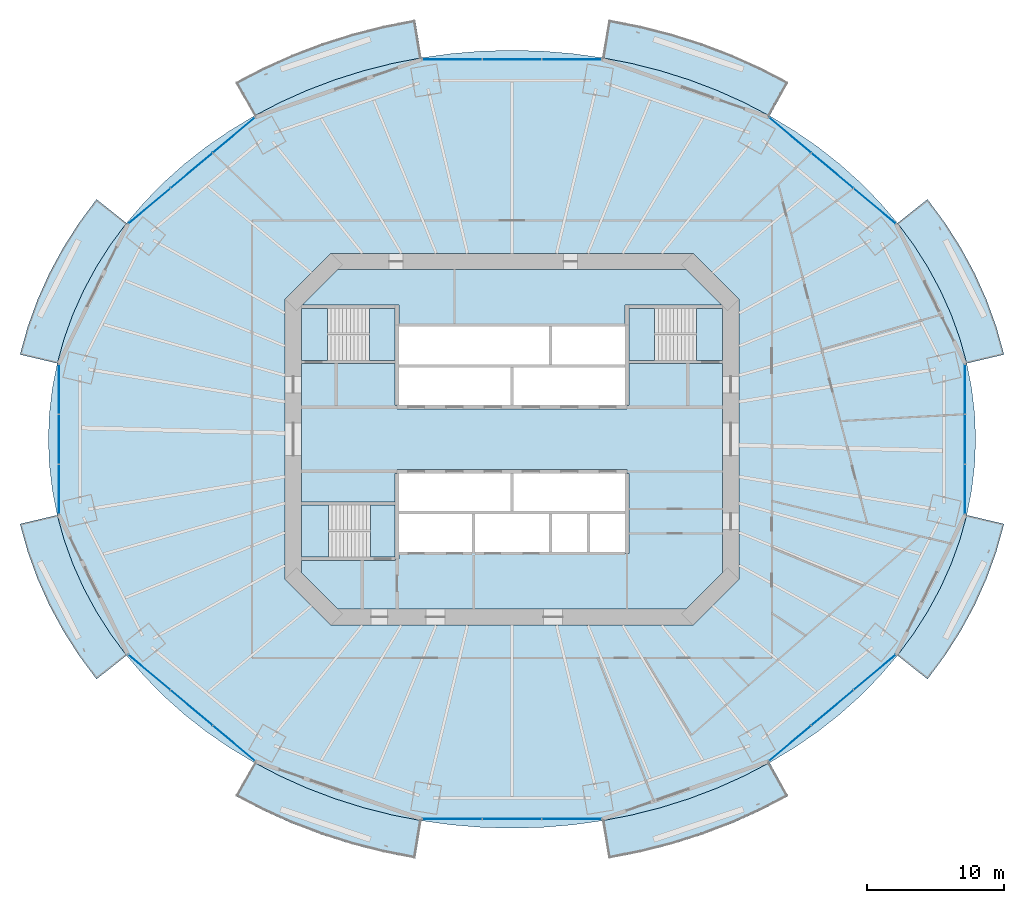
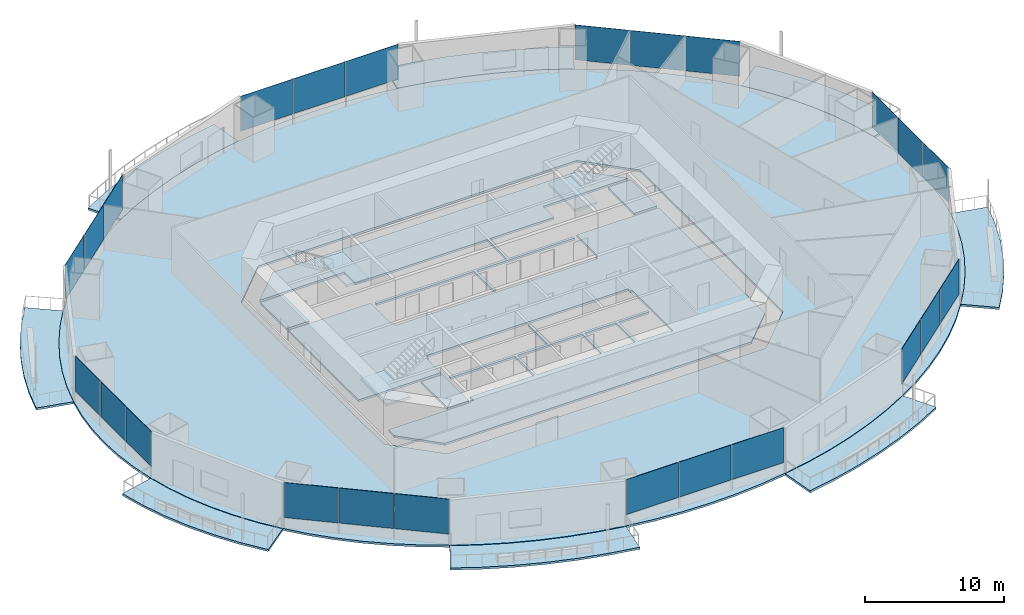
# One storey, part 12 of 21: 24 plates, 17 slabs, 11 elements without a shape of their own.
"""IFC4 building model written with IfcOpenShell, lengths in metres."""

from ifc_helpers import new_model, si_unit, direction, frame, origin, origin_2d, place, context, subcontext, project, spatial, polyline, rectangle, outline, extrude, material, layer, layer_set, type_object, element, aggregate, save


model = new_model("IFC4")

# Units and contexts
model_context = context("Model", 3, precision=1e-05, world=origin(), true_north=direction((0.0, 1.0)))
body_context = subcontext(model_context, "Body", "Model", "MODEL_VIEW")
ifc_project = project(units=[si_unit("LENGTHUNIT", "METRE"), si_unit("AREAUNIT", "SQUARE_METRE"), si_unit("VOLUMEUNIT", "CUBIC_METRE"), si_unit("PLANEANGLEUNIT", "RADIAN"), si_unit("MASSUNIT", "GRAM", prefix="KILO")], contexts=[model_context])

# Site, building, storey
site_placement = place(None, origin())
site = spatial("IfcSite", under=ifc_project, at=site_placement, CompositionType="ELEMENT")
building_placement = place(site_placement, origin())
building = spatial("IfcBuilding", under=site, at=building_placement, Name="Marenthal Gate Tower", CompositionType="ELEMENT")
storey_placement = place(building_placement, frame((0.0, 0.0, 128.449951171875)))
storey = spatial("IfcBuildingStorey", under=building, at=storey_placement, Name="L27", CompositionType="ELEMENT", Elevation=128.449951171875)

# Slabs
ifc_material_1 = material(Name="Concrete 40 MPa", Category="concrete")
ifc_layer_1 = layer(ifc_material_1, 0.179931640625)
ifc_layer_set_1 = layer_set([ifc_layer_1], Name="Balcony deck 180")
slab_type_1 = type_object("IfcSlabType", Name="Balcony deck 180", PredefinedType="USERDEFINED", material=ifc_layer_set_1)
slab_1_placement = place(storey_placement, frame((0.0, 0.0, -0.219970703125)))
element("IfcSlab", 1, at=slab_1_placement, inside=storey, type_object=slab_type_1, Name="Balcony deck L27 bay 1", ObjectType="BALCONY", PredefinedType="USERDEFINED", context=body_context, shape_type="SweptSolid", body=[
    extrude(outline(polyline([(33.25244140625, 5.548828125), (32.748779296875, 7.361328125), (32.104736328125, 9.142333984375), (31.3232421875, 10.88427734375), (30.40771484375, 12.57958984375), (29.36181640625, 14.220947265625), (28.190185546875, 15.801513671875), (30.38037109375, 17.5458984375), (31.668212890625, 15.808349609375), (32.821533203125, 13.99853515625), (33.833740234375, 12.1240234375), (34.7001953125, 10.192626953125), (35.416015625, 8.213134765625), (35.97705078125, 6.19482421875), (33.25244140625, 5.548828125)])), origin(), (0.0, 0.0, 1.0), 0.179931640625),
])
slab_2_placement = place(storey_placement, frame((0.0, 0.0, -0.219970703125)))
element("IfcSlab", 2, at=slab_2_placement, inside=storey, type_object=slab_type_1, Name="Balcony deck L27 bay 3", ObjectType="BALCONY", PredefinedType="USERDEFINED", context=body_context, shape_type="SweptSolid", body=[
    extrude(outline(polyline([(18.836181640625, 23.648681640625), (16.951904296875, 24.631591796875), (14.995361328125, 25.5087890625), (12.974609375, 26.277099609375), (10.898193359375, 26.9326171875), (8.77490234375, 27.472900390625), (6.6142578125, 27.8955078125), (7.0751953125, 30.6572265625), (9.38916015625, 30.204833984375), (11.6650390625, 29.62548828125), (13.8935546875, 28.921875), (16.065673828125, 28.09619140625), (18.172607421875, 27.1513671875), (20.205078125, 26.091064453125), (18.836181640625, 23.648681640625)])), origin(), (0.0, 0.0, 1.0), 0.179931640625),
])
slab_3_placement = place(storey_placement, frame((0.0, 0.0, -0.219970703125)))
element("IfcSlab", 3, at=slab_3_placement, inside=storey, type_object=slab_type_1, Name="Balcony deck L27 bay 5", ObjectType="BALCONY", PredefinedType="USERDEFINED", context=body_context, shape_type="SweptSolid", body=[
    extrude(outline(polyline([(-6.6142578125, 27.8955078125), (-8.77490234375, 27.472900390625), (-10.898193359375, 26.9326171875), (-12.974609375, 26.277099609375), (-14.995361328125, 25.5087890625), (-16.951904296875, 24.631591796875), (-18.836181640625, 23.648681640625), (-20.205078125, 26.091064453125), (-18.172607421875, 27.1513671875), (-16.065673828125, 28.09619140625), (-13.8935546875, 28.921875), (-11.6650390625, 29.62548828125), (-9.38916015625, 30.204833984375), (-7.0751953125, 30.6572265625), (-6.6142578125, 27.8955078125)])), origin(), (0.0, 0.0, 1.0), 0.179931640625),
])
slab_4_placement = place(storey_placement, frame((0.0, 0.0, -0.219970703125)))
element("IfcSlab", 4, at=slab_4_placement, inside=storey, type_object=slab_type_1, Name="Balcony deck L27 bay 7", ObjectType="BALCONY", PredefinedType="USERDEFINED", context=body_context, shape_type="SweptSolid", body=[
    extrude(outline(polyline([(-28.190185546875, 15.801513671875), (-29.36181640625, 14.220947265625), (-30.40771484375, 12.57958984375), (-31.3232421875, 10.88427734375), (-32.104736328125, 9.142333984375), (-32.748779296875, 7.361328125), (-33.25244140625, 5.548828125), (-35.97705078125, 6.19482421875), (-35.416015625, 8.213134765625), (-34.7001953125, 10.192626953125), (-33.833740234375, 12.1240234375), (-32.821533203125, 13.99853515625), (-31.668212890625, 15.808349609375), (-30.38037109375, 17.5458984375), (-28.190185546875, 15.801513671875)])), origin(), (0.0, 0.0, 1.0), 0.179931640625),
])
slab_5_placement = place(storey_placement, frame((0.0, 0.0, -0.219970703125)))
element("IfcSlab", 5, at=slab_5_placement, inside=storey, type_object=slab_type_1, Name="Balcony deck L27 bay 9", ObjectType="BALCONY", PredefinedType="USERDEFINED", context=body_context, shape_type="SweptSolid", body=[
    extrude(outline(polyline([(-33.25244140625, -5.548828125), (-32.748779296875, -7.361328125), (-32.104736328125, -9.142333984375), (-31.3232421875, -10.88427734375), (-30.40771484375, -12.57958984375), (-29.36181640625, -14.220947265625), (-28.190185546875, -15.801513671875), (-30.38037109375, -17.5458984375), (-31.668212890625, -15.808349609375), (-32.821533203125, -13.99853515625), (-33.833740234375, -12.1240234375), (-34.7001953125, -10.192626953125), (-35.416015625, -8.213134765625), (-35.97705078125, -6.19482421875), (-33.25244140625, -5.548828125)])), origin(), (0.0, 0.0, 1.0), 0.179931640625),
])
slab_6_placement = place(storey_placement, frame((0.0, 0.0, -0.219970703125)))
element("IfcSlab", 6, at=slab_6_placement, inside=storey, type_object=slab_type_1, Name="Balcony deck L27 bay 11", ObjectType="BALCONY", PredefinedType="USERDEFINED", context=body_context, shape_type="SweptSolid", body=[
    extrude(outline(polyline([(-18.836181640625, -23.648681640625), (-16.951904296875, -24.631591796875), (-14.995361328125, -25.5087890625), (-12.974609375, -26.277099609375), (-10.898193359375, -26.9326171875), (-8.77490234375, -27.472900390625), (-6.6142578125, -27.8955078125), (-7.0751953125, -30.6572265625), (-9.38916015625, -30.204833984375), (-11.6650390625, -29.62548828125), (-13.8935546875, -28.921875), (-16.065673828125, -28.09619140625), (-18.172607421875, -27.1513671875), (-20.205078125, -26.091064453125), (-18.836181640625, -23.648681640625)])), origin(), (0.0, 0.0, 1.0), 0.179931640625),
])
slab_7_placement = place(storey_placement, frame((0.0, 0.0, -0.219970703125)))
element("IfcSlab", 7, at=slab_7_placement, inside=storey, type_object=slab_type_1, Name="Balcony deck L27 bay 13", ObjectType="BALCONY", PredefinedType="USERDEFINED", context=body_context, shape_type="SweptSolid", body=[
    extrude(outline(polyline([(6.6142578125, -27.8955078125), (8.77490234375, -27.472900390625), (10.898193359375, -26.9326171875), (12.974609375, -26.277099609375), (14.995361328125, -25.5087890625), (16.951904296875, -24.631591796875), (18.836181640625, -23.648681640625), (20.205078125, -26.091064453125), (18.172607421875, -27.1513671875), (16.065673828125, -28.09619140625), (13.8935546875, -28.921875), (11.6650390625, -29.62548828125), (9.38916015625, -30.204833984375), (7.0751953125, -30.6572265625), (6.6142578125, -27.8955078125)])), origin(), (0.0, 0.0, 1.0), 0.179931640625),
])
slab_8_placement = place(storey_placement, frame((0.0, 0.0, -0.219970703125)))
element("IfcSlab", 8, at=slab_8_placement, inside=storey, type_object=slab_type_1, Name="Balcony deck L27 bay 15", ObjectType="BALCONY", PredefinedType="USERDEFINED", context=body_context, shape_type="SweptSolid", body=[
    extrude(outline(polyline([(28.190185546875, -15.801513671875), (29.36181640625, -14.220947265625), (30.40771484375, -12.57958984375), (31.3232421875, -10.88427734375), (32.104736328125, -9.142333984375), (32.748779296875, -7.361328125), (33.25244140625, -5.548828125), (35.97705078125, -6.19482421875), (35.416015625, -8.213134765625), (34.7001953125, -10.192626953125), (33.833740234375, -12.1240234375), (32.821533203125, -13.99853515625), (31.668212890625, -15.808349609375), (30.38037109375, -17.5458984375), (28.190185546875, -15.801513671875)])), origin(), (0.0, 0.0, 1.0), 0.179931640625),
])
ifc_material_2 = material(Name="Concrete 50 MPa", Category="concrete")
ifc_layer_2 = layer(ifc_material_2, 0.179931640625)
ifc_layer_set_2 = layer_set([ifc_layer_2], Name="Core floor slab 180")
slab_type_2 = type_object("IfcSlabType", Name="Core floor slab 180", PredefinedType="FLOOR", material=ifc_layer_set_2)
slab_9_placement = place(storey_placement, frame((0.0, 0.0, -0.179931640625)))
element("IfcSlab", 9, at=slab_9_placement, inside=storey, type_object=slab_type_2, Name="Core floor L27", PredefinedType="FLOOR", context=body_context, shape_type="SweptSolid", body=[
    extrude(outline(polyline([(15.39990234375, -9.75146484375), (12.75146484375, -12.39990234375), (-12.75146484375, -12.39990234375), (-15.39990234375, -9.75146484375), (-15.39990234375, -8.875), (-8.550048828125, -8.875), (-8.550048828125, -8.75), (-8.25, -8.75), (-8.25, -8.239990234375), (-5.60009765625, -8.239990234375), (-2.909912109375, -8.239990234375), (-2.909912109375, -5.4599609375), (-5.60009765625, -5.4599609375), (-8.25, -5.4599609375), (-8.25, -5.239990234375), (-5.60009765625, -5.239990234375), (-2.800048828125, -5.239990234375), (-0.110107421875, -5.239990234375), (-0.110107421875, -2.5), (0.110107421875, -2.5), (0.110107421875, -5.239990234375), (2.800048828125, -5.239990234375), (5.60009765625, -5.239990234375), (8.25, -5.239990234375), (8.25, -5.4599609375), (5.7099609375, -5.4599609375), (5.7099609375, -8.239990234375), (8.25, -8.239990234375), (8.25, -8.35009765625), (8.550048828125, -8.35009765625), (8.550048828125, -2.5), (8.39990234375, -2.5), (8.39990234375, -2.199951171875), (-8.39990234375, -2.199951171875), (-8.39990234375, -2.5), (-8.550048828125, -2.5), (-8.550048828125, -4.574951171875), (-15.39990234375, -4.574951171875), (-15.39990234375, 5.52490234375), (-8.550048828125, 5.52490234375), (-8.550048828125, 2.5), (-8.39990234375, 2.5), (-8.39990234375, 2.199951171875), (8.39990234375, 2.199951171875), (8.39990234375, 2.5), (8.550048828125, 2.5), (8.550048828125, 5.52490234375), (15.39990234375, 5.52490234375), (15.39990234375, -9.75146484375)]), holes=[polyline([(2.68994140625, -5.4599609375), (0.0, -5.4599609375), (-2.68994140625, -5.4599609375), (-2.68994140625, -8.239990234375), (0.0, -8.239990234375), (2.68994140625, -8.239990234375), (2.68994140625, -5.4599609375)]), polyline([(5.489990234375, -5.4599609375), (2.909912109375, -5.4599609375), (2.909912109375, -8.239990234375), (5.489990234375, -8.239990234375), (5.489990234375, -5.4599609375)])]), origin(), (0.0, 0.0, 1.0), 0.179931640625),
])
slab_10_placement = place(storey_placement, frame((0.0, 0.0, -0.179931640625)))
element("IfcSlab", 10, at=slab_10_placement, inside=storey, type_object=slab_type_2, Name="Core floor L27", PredefinedType="FLOOR", context=body_context, shape_type="SweptSolid", body=[
    extrude(outline(polyline([(15.39990234375, 5.77490234375), (13.5, 5.77490234375), (13.5, 9.574951171875), (15.39990234375, 9.574951171875), (15.39990234375, 5.77490234375)])), origin(), (0.0, 0.0, 1.0), 0.179931640625),
])
slab_11_placement = place(storey_placement, frame((0.0, 0.0, -0.179931640625)))
element("IfcSlab", 11, at=slab_11_placement, inside=storey, type_object=slab_type_2, Name="Core floor L27", PredefinedType="FLOOR", context=body_context, shape_type="SweptSolid", body=[
    extrude(outline(polyline([(12.75146484375, 12.39990234375), (15.326416015625, 9.824951171875), (8.550048828125, 9.824951171875), (8.25, 9.824951171875), (8.25, 8.35009765625), (8.25, 8.239990234375), (5.60009765625, 8.239990234375), (2.909912109375, 8.239990234375), (2.909912109375, 5.4599609375), (5.60009765625, 5.4599609375), (8.25, 5.4599609375), (8.25, 5.239990234375), (5.60009765625, 5.239990234375), (2.800048828125, 5.239990234375), (0.110107421875, 5.239990234375), (0.110107421875, 2.5), (-0.110107421875, 2.5), (-0.110107421875, 5.239990234375), (-2.800048828125, 5.239990234375), (-5.60009765625, 5.239990234375), (-8.25, 5.239990234375), (-8.25, 5.4599609375), (-5.60009765625, 5.4599609375), (-2.800048828125, 5.4599609375), (0.0, 5.4599609375), (2.68994140625, 5.4599609375), (2.68994140625, 8.239990234375), (0.0, 8.239990234375), (-2.800048828125, 8.239990234375), (-5.60009765625, 8.239990234375), (-8.25, 8.239990234375), (-8.25, 8.35009765625), (-8.25, 9.824951171875), (-8.550048828125, 9.824951171875), (-15.326416015625, 9.824951171875), (-12.75146484375, 12.39990234375), (12.75146484375, 12.39990234375)])), origin(), (0.0, 0.0, 1.0), 0.179931640625),
])
slab_12_placement = place(storey_placement, frame((0.0, 0.0, -0.179931640625)))
element("IfcSlab", 12, at=slab_12_placement, inside=storey, type_object=slab_type_2, Name="Core floor L27", PredefinedType="FLOOR", context=body_context, shape_type="SweptSolid", body=[
    extrude(outline(polyline([(-15.39990234375, 9.574951171875), (-13.5, 9.574951171875), (-13.5, 5.77490234375), (-15.39990234375, 5.77490234375), (-15.39990234375, 9.574951171875)])), origin(), (0.0, 0.0, 1.0), 0.179931640625),
])
slab_13_placement = place(storey_placement, frame((0.0, 0.0, -0.179931640625)))
element("IfcSlab", 13, at=slab_13_placement, inside=storey, type_object=slab_type_2, Name="Core floor L27", PredefinedType="FLOOR", context=body_context, shape_type="SweptSolid", body=[
    extrude(outline(polyline([(-8.550048828125, -8.625), (-10.35009765625, -8.625), (-10.35009765625, -4.824951171875), (-8.550048828125, -4.824951171875), (-8.550048828125, -8.625)])), origin(), (0.0, 0.0, 1.0), 0.179931640625),
])
ifc_material_3 = material(Name="Concrete 35 MPa", Category="concrete")
ifc_layer_3 = layer(ifc_material_3, 0.179931640625)
ifc_layer_set_3 = layer_set([ifc_layer_3], Name="Floor slab 180")
slab_type_3 = type_object("IfcSlabType", Name="Floor slab 180", PredefinedType="FLOOR", material=ifc_layer_set_3)
slab_14_placement = place(storey_placement, frame((0.0, 0.0, -0.179931640625)))
element("IfcSlab", 14, at=slab_14_placement, inside=storey, type_object=slab_type_3, Name="SL-L27-01", PredefinedType="FLOOR", context=body_context, shape_type="SweptSolid", body=[
    extrude(outline(polyline([(33.904052734375, 0.0), (33.831298828125, 1.860107421875), (33.614013671875, 3.71240234375), (33.25244140625, 5.548828125), (32.748779296875, 7.361328125), (32.104736328125, 9.142333984375), (31.3232421875, 10.88427734375), (30.40771484375, 12.57958984375), (29.36181640625, 14.220947265625), (28.190185546875, 15.801513671875), (26.89794921875, 17.314453125), (25.490478515625, 18.753173828125), (23.9736328125, 20.111572265625), (22.3544921875, 21.3837890625), (20.639404296875, 22.564697265625), (18.836181640625, 23.648681640625), (16.951904296875, 24.631591796875), (14.995361328125, 25.5087890625), (12.974609375, 26.277099609375), (10.898193359375, 26.9326171875), (8.77490234375, 27.472900390625), (6.6142578125, 27.8955078125), (4.42529296875, 28.19873046875), (2.21728515625, 28.381103515625), (0.0, 28.44189453125), (-2.21728515625, 28.381103515625), (-4.42529296875, 28.19873046875), (-6.6142578125, 27.8955078125), (-8.77490234375, 27.472900390625), (-10.898193359375, 26.9326171875), (-12.974609375, 26.277099609375), (-14.995361328125, 25.5087890625), (-16.951904296875, 24.631591796875), (-18.836181640625, 23.648681640625), (-20.639404296875, 22.564697265625), (-22.3544921875, 21.3837890625), (-23.9736328125, 20.111572265625), (-25.490478515625, 18.753173828125), (-26.89794921875, 17.314453125), (-28.190185546875, 15.801513671875), (-29.36181640625, 14.220947265625), (-30.40771484375, 12.57958984375), (-31.3232421875, 10.88427734375), (-32.104736328125, 9.142333984375), (-32.748779296875, 7.361328125), (-33.25244140625, 5.548828125), (-33.614013671875, 3.71240234375), (-33.831298828125, 1.860107421875), (-33.904052734375, 0.0), (-33.831298828125, -1.860107421875), (-33.614013671875, -3.71240234375), (-33.25244140625, -5.548828125), (-32.748779296875, -7.361328125), (-32.104736328125, -9.142333984375), (-31.3232421875, -10.88427734375), (-30.40771484375, -12.57958984375), (-29.36181640625, -14.220947265625), (-28.190185546875, -15.801513671875), (-26.89794921875, -17.314453125), (-25.490478515625, -18.753173828125), (-23.9736328125, -20.111572265625), (-22.3544921875, -21.3837890625), (-20.639404296875, -22.564697265625), (-18.836181640625, -23.648681640625), (-16.951904296875, -24.631591796875), (-14.995361328125, -25.5087890625), (-12.974609375, -26.277099609375), (-10.898193359375, -26.9326171875), (-8.77490234375, -27.472900390625), (-6.6142578125, -27.8955078125), (-4.42529296875, -28.19873046875), (-2.21728515625, -28.381103515625), (0.0, -28.44189453125), (2.21728515625, -28.381103515625), (4.42529296875, -28.19873046875), (6.6142578125, -27.8955078125), (8.77490234375, -27.472900390625), (10.898193359375, -26.9326171875), (12.974609375, -26.277099609375), (14.995361328125, -25.5087890625), (16.951904296875, -24.631591796875), (18.836181640625, -23.648681640625), (20.639404296875, -22.564697265625), (22.3544921875, -21.3837890625), (23.9736328125, -20.111572265625), (25.490478515625, -18.753173828125), (26.89794921875, -17.314453125), (28.190185546875, -15.801513671875), (29.36181640625, -14.220947265625), (30.40771484375, -12.57958984375), (31.3232421875, -10.88427734375), (32.104736328125, -9.142333984375), (32.748779296875, -7.361328125), (33.25244140625, -5.548828125), (33.614013671875, -3.71240234375), (33.831298828125, -1.860107421875), (33.904052734375, 0.0)]), holes=[polyline([(13.24853515625, -13.60009765625), (16.60009765625, -10.24853515625), (16.60009765625, 10.24853515625), (13.24853515625, 13.60009765625), (-13.24853515625, 13.60009765625), (-16.60009765625, 10.24853515625), (-16.60009765625, -10.24853515625), (-13.24853515625, -13.60009765625), (13.24853515625, -13.60009765625)])]), origin(), (0.0, 0.0, 1.0), 0.179931640625),
])

# Curtain wall, plates
ifc_material_4 = material(Name="Aluminium and glass", Category="aluminium")
curtain_wall_type = type_object("IfcCurtainWallType", Name="Curtain wall typical low", PredefinedType="NOTDEFINED", material=ifc_material_4)
curtain_wall_1_placement = place(storey_placement, origin())
curtain_wall_1 = element("IfcCurtainWall", 15, at=curtain_wall_1_placement, inside=storey, type_object=curtain_wall_type, Name="Curtain wall L27 bay 2", PredefinedType="NOTDEFINED")
ifc_material_5 = material(Name="Glass, laminated insulating unit", Category="glass")
ifc_layer_4 = layer(ifc_material_5, 0.030029296875)
ifc_layer_set_4 = layer_set([ifc_layer_4], Name="Glass panel 30 typical low")
plate_type = type_object("IfcPlateType", Name="Glass panel 30 typical low", PredefinedType="CURTAIN_PANEL", material=ifc_layer_set_4)
plate_1_placement = place(storey_placement, frame((26.521484375, 17.050048828125, 0.89990234375), z_axis=(0.0, 0.0, 1.0), x_axis=(-0.766337774817, 0.642437868504, 0.0)))
plate_1 = element("IfcPlate", 16, at=plate_1_placement, type_object=plate_type, Name="Glass panel L27 bay 2.1", PredefinedType="CURTAIN_PANEL", context=body_context, shape_type="SweptSolid", body=[
    extrude(rectangle(XDim=3.974365234375, YDim=0.030029296875, at=origin_2d()), origin(), (0.0, 0.0, 1.0), 3.070068359375),
])
plate_2_placement = place(storey_placement, frame((23.429931640625, 19.641845703125, 0.89990234375), z_axis=(0.0, 0.0, 1.0), x_axis=(-0.766337774817, 0.642437868504, 0.0)))
plate_2 = element("IfcPlate", 17, at=plate_2_placement, type_object=plate_type, Name="Glass panel L27 bay 2.2", PredefinedType="CURTAIN_PANEL", context=body_context, shape_type="SweptSolid", body=[
    extrude(rectangle(XDim=3.974365234375, YDim=0.030029296875, at=origin_2d()), origin(), (0.0, 0.0, 1.0), 3.070068359375),
])
plate_3_placement = place(storey_placement, frame((20.338134765625, 22.233642578125, 0.89990234375), z_axis=(0.0, 0.0, 1.0), x_axis=(-0.766337774817, 0.642437868504, 0.0)))
plate_3 = element("IfcPlate", 18, at=plate_3_placement, type_object=plate_type, Name="Glass panel L27 bay 2.3", PredefinedType="CURTAIN_PANEL", context=body_context, shape_type="SweptSolid", body=[
    extrude(rectangle(XDim=3.974365234375, YDim=0.030029296875, at=origin_2d()), origin(), (0.0, 0.0, 1.0), 3.070068359375),
])
aggregate(curtain_wall_1, [plate_1, plate_2, plate_3])

curtain_wall_2_placement = place(storey_placement, origin())
curtain_wall_2 = element("IfcCurtainWall", 19, at=curtain_wall_2_placement, inside=storey, type_object=curtain_wall_type, Name="Curtain wall L27 bay 4", PredefinedType="NOTDEFINED")
plate_4_placement = place(storey_placement, frame((4.3740234375, 27.77783203125, 0.89990234375), z_axis=(0.0, 0.0, 1.0), x_axis=(-1.0, 0.0, 0.0)))
plate_4 = element("IfcPlate", 20, at=plate_4_placement, type_object=plate_type, Name="Glass panel L27 bay 4.1", PredefinedType="CURTAIN_PANEL", context=body_context, shape_type="SweptSolid", body=[
    extrude(rectangle(XDim=4.31396484375, YDim=0.030029296875, at=origin_2d()), origin(), (0.0, 0.0, 1.0), 3.070068359375),
])
plate_5_placement = place(storey_placement, frame((0.0, 27.77783203125, 0.89990234375), z_axis=(0.0, 0.0, 1.0), x_axis=(-1.0, 0.0, 0.0)))
plate_5 = element("IfcPlate", 21, at=plate_5_placement, type_object=plate_type, Name="Glass panel L27 bay 4.2", PredefinedType="CURTAIN_PANEL", context=body_context, shape_type="SweptSolid", body=[
    extrude(rectangle(XDim=4.31396484375, YDim=0.030029296875, at=origin_2d()), origin(), (0.0, 0.0, 1.0), 3.070068359375),
])
plate_6_placement = place(storey_placement, frame((-4.3740234375, 27.77783203125, 0.89990234375), z_axis=(0.0, 0.0, 1.0), x_axis=(-1.0, 0.0, 0.0)))
plate_6 = element("IfcPlate", 22, at=plate_6_placement, type_object=plate_type, Name="Glass panel L27 bay 4.3", PredefinedType="CURTAIN_PANEL", context=body_context, shape_type="SweptSolid", body=[
    extrude(rectangle(XDim=4.31396484375, YDim=0.030029296875, at=origin_2d()), origin(), (0.0, 0.0, 1.0), 3.070068359375),
])
aggregate(curtain_wall_2, [plate_4, plate_5, plate_6])

curtain_wall_3_placement = place(storey_placement, origin())
curtain_wall_3 = element("IfcCurtainWall", 23, at=curtain_wall_3_placement, inside=storey, type_object=curtain_wall_type, Name="Curtain wall L27 bay 6", PredefinedType="NOTDEFINED")
plate_7_placement = place(storey_placement, frame((-20.338134765625, 22.233642578125, 0.89990234375), z_axis=(0.0, 0.0, 1.0), x_axis=(-0.766337774817, -0.642437868504, 0.0)))
plate_7 = element("IfcPlate", 24, at=plate_7_placement, type_object=plate_type, Name="Glass panel L27 bay 6.1", PredefinedType="CURTAIN_PANEL", context=body_context, shape_type="SweptSolid", body=[
    extrude(rectangle(XDim=3.974365234375, YDim=0.030029296875, at=origin_2d()), origin(), (0.0, 0.0, 1.0), 3.070068359375),
])
plate_8_placement = place(storey_placement, frame((-23.429931640625, 19.641845703125, 0.89990234375), z_axis=(0.0, 0.0, 1.0), x_axis=(-0.766337774817, -0.642437868504, 0.0)))
plate_8 = element("IfcPlate", 25, at=plate_8_placement, type_object=plate_type, Name="Glass panel L27 bay 6.2", PredefinedType="CURTAIN_PANEL", context=body_context, shape_type="SweptSolid", body=[
    extrude(rectangle(XDim=3.974365234375, YDim=0.030029296875, at=origin_2d()), origin(), (0.0, 0.0, 1.0), 3.070068359375),
])
plate_9_placement = place(storey_placement, frame((-26.521484375, 17.050048828125, 0.89990234375), z_axis=(0.0, 0.0, 1.0), x_axis=(-0.766337774817, -0.642437868504, 0.0)))
plate_9 = element("IfcPlate", 26, at=plate_9_placement, type_object=plate_type, Name="Glass panel L27 bay 6.3", PredefinedType="CURTAIN_PANEL", context=body_context, shape_type="SweptSolid", body=[
    extrude(rectangle(XDim=3.974365234375, YDim=0.030029296875, at=origin_2d()), origin(), (0.0, 0.0, 1.0), 3.070068359375),
])
aggregate(curtain_wall_3, [plate_7, plate_8, plate_9])

curtain_wall_4_placement = place(storey_placement, origin())
curtain_wall_4 = element("IfcCurtainWall", 27, at=curtain_wall_4_placement, inside=storey, type_object=curtain_wall_type, Name="Curtain wall L27 bay 8", PredefinedType="NOTDEFINED")
plate_10_placement = place(storey_placement, frame((-33.134765625, 3.66357421875, 0.89990234375), z_axis=(0.0, 0.0, 1.0), x_axis=(0.0, -1.0, 0.0)))
plate_10 = element("IfcPlate", 28, at=plate_10_placement, type_object=plate_type, Name="Glass panel L27 bay 8.1", PredefinedType="CURTAIN_PANEL", context=body_context, shape_type="SweptSolid", body=[
    extrude(rectangle(XDim=3.603515625, YDim=0.030029296875, at=origin_2d()), origin(), (0.0, 0.0, 1.0), 3.070068359375),
])
plate_11_placement = place(storey_placement, frame((-33.134765625, 0.0, 0.89990234375), z_axis=(0.0, 0.0, 1.0), x_axis=(0.0, -1.0, 0.0)))
plate_11 = element("IfcPlate", 29, at=plate_11_placement, type_object=plate_type, Name="Glass panel L27 bay 8.2", PredefinedType="CURTAIN_PANEL", context=body_context, shape_type="SweptSolid", body=[
    extrude(rectangle(XDim=3.603515625, YDim=0.030029296875, at=origin_2d()), origin(), (0.0, 0.0, 1.0), 3.070068359375),
])
plate_12_placement = place(storey_placement, frame((-33.134765625, -3.66357421875, 0.89990234375), z_axis=(0.0, 0.0, 1.0), x_axis=(0.0, -1.0, 0.0)))
plate_12 = element("IfcPlate", 30, at=plate_12_placement, type_object=plate_type, Name="Glass panel L27 bay 8.3", PredefinedType="CURTAIN_PANEL", context=body_context, shape_type="SweptSolid", body=[
    extrude(rectangle(XDim=3.603515625, YDim=0.030029296875, at=origin_2d()), origin(), (0.0, 0.0, 1.0), 3.070068359375),
])
aggregate(curtain_wall_4, [plate_10, plate_11, plate_12])

curtain_wall_5_placement = place(storey_placement, origin())
curtain_wall_5 = element("IfcCurtainWall", 31, at=curtain_wall_5_placement, inside=storey, type_object=curtain_wall_type, Name="Curtain wall L27 bay 10", PredefinedType="NOTDEFINED")
plate_13_placement = place(storey_placement, frame((-26.521484375, -17.050048828125, 0.89990234375), z_axis=(0.0, 0.0, 1.0), x_axis=(0.766337774817, -0.642437868504, 0.0)))
plate_13 = element("IfcPlate", 32, at=plate_13_placement, type_object=plate_type, Name="Glass panel L27 bay 10.1", PredefinedType="CURTAIN_PANEL", context=body_context, shape_type="SweptSolid", body=[
    extrude(rectangle(XDim=3.974365234375, YDim=0.030029296875, at=origin_2d()), origin(), (0.0, 0.0, 1.0), 3.070068359375),
])
plate_14_placement = place(storey_placement, frame((-23.429931640625, -19.641845703125, 0.89990234375), z_axis=(0.0, 0.0, 1.0), x_axis=(0.766337774817, -0.642437868504, 0.0)))
plate_14 = element("IfcPlate", 33, at=plate_14_placement, type_object=plate_type, Name="Glass panel L27 bay 10.2", PredefinedType="CURTAIN_PANEL", context=body_context, shape_type="SweptSolid", body=[
    extrude(rectangle(XDim=3.974365234375, YDim=0.030029296875, at=origin_2d()), origin(), (0.0, 0.0, 1.0), 3.070068359375),
])
plate_15_placement = place(storey_placement, frame((-20.338134765625, -22.233642578125, 0.89990234375), z_axis=(0.0, 0.0, 1.0), x_axis=(0.766337774817, -0.642437868504, 0.0)))
plate_15 = element("IfcPlate", 34, at=plate_15_placement, type_object=plate_type, Name="Glass panel L27 bay 10.3", PredefinedType="CURTAIN_PANEL", context=body_context, shape_type="SweptSolid", body=[
    extrude(rectangle(XDim=3.974365234375, YDim=0.030029296875, at=origin_2d()), origin(), (0.0, 0.0, 1.0), 3.070068359375),
])
aggregate(curtain_wall_5, [plate_13, plate_14, plate_15])

curtain_wall_6_placement = place(storey_placement, origin())
curtain_wall_6 = element("IfcCurtainWall", 35, at=curtain_wall_6_placement, inside=storey, type_object=curtain_wall_type, Name="Curtain wall L27 bay 12", PredefinedType="NOTDEFINED")
plate_16_placement = place(storey_placement, frame((-4.3740234375, -27.77783203125, 0.89990234375), z_axis=(0.0, 0.0, 1.0), x_axis=(1.0, 0.0, 0.0)))
plate_16 = element("IfcPlate", 36, at=plate_16_placement, type_object=plate_type, Name="Glass panel L27 bay 12.1", PredefinedType="CURTAIN_PANEL", context=body_context, shape_type="SweptSolid", body=[
    extrude(rectangle(XDim=4.31396484375, YDim=0.030029296875, at=origin_2d()), origin(), (0.0, 0.0, 1.0), 3.070068359375),
])
plate_17_placement = place(storey_placement, frame((0.0, -27.77783203125, 0.89990234375), z_axis=(0.0, 0.0, 1.0), x_axis=(1.0, 0.0, 0.0)))
plate_17 = element("IfcPlate", 37, at=plate_17_placement, type_object=plate_type, Name="Glass panel L27 bay 12.2", PredefinedType="CURTAIN_PANEL", context=body_context, shape_type="SweptSolid", body=[
    extrude(rectangle(XDim=4.31396484375, YDim=0.030029296875, at=origin_2d()), origin(), (0.0, 0.0, 1.0), 3.070068359375),
])
plate_18_placement = place(storey_placement, frame((4.3740234375, -27.77783203125, 0.89990234375), z_axis=(0.0, 0.0, 1.0), x_axis=(1.0, 0.0, 0.0)))
plate_18 = element("IfcPlate", 38, at=plate_18_placement, type_object=plate_type, Name="Glass panel L27 bay 12.3", PredefinedType="CURTAIN_PANEL", context=body_context, shape_type="SweptSolid", body=[
    extrude(rectangle(XDim=4.31396484375, YDim=0.030029296875, at=origin_2d()), origin(), (0.0, 0.0, 1.0), 3.070068359375),
])
aggregate(curtain_wall_6, [plate_16, plate_17, plate_18])

curtain_wall_7_placement = place(storey_placement, origin())
curtain_wall_7 = element("IfcCurtainWall", 39, at=curtain_wall_7_placement, inside=storey, type_object=curtain_wall_type, Name="Curtain wall L27 bay 14", PredefinedType="NOTDEFINED")
plate_19_placement = place(storey_placement, frame((20.338134765625, -22.233642578125, 0.89990234375), z_axis=(0.0, 0.0, 1.0), x_axis=(0.766337774817, 0.642437868504, 0.0)))
plate_19 = element("IfcPlate", 40, at=plate_19_placement, type_object=plate_type, Name="Glass panel L27 bay 14.1", PredefinedType="CURTAIN_PANEL", context=body_context, shape_type="SweptSolid", body=[
    extrude(rectangle(XDim=3.974365234375, YDim=0.030029296875, at=origin_2d()), origin(), (0.0, 0.0, 1.0), 3.070068359375),
])
plate_20_placement = place(storey_placement, frame((23.429931640625, -19.641845703125, 0.89990234375), z_axis=(0.0, 0.0, 1.0), x_axis=(0.766337774817, 0.642437868504, 0.0)))
plate_20 = element("IfcPlate", 41, at=plate_20_placement, type_object=plate_type, Name="Glass panel L27 bay 14.2", PredefinedType="CURTAIN_PANEL", context=body_context, shape_type="SweptSolid", body=[
    extrude(rectangle(XDim=3.974365234375, YDim=0.030029296875, at=origin_2d()), origin(), (0.0, 0.0, 1.0), 3.070068359375),
])
plate_21_placement = place(storey_placement, frame((26.521484375, -17.050048828125, 0.89990234375), z_axis=(0.0, 0.0, 1.0), x_axis=(0.766337774817, 0.642437868504, 0.0)))
plate_21 = element("IfcPlate", 42, at=plate_21_placement, type_object=plate_type, Name="Glass panel L27 bay 14.3", PredefinedType="CURTAIN_PANEL", context=body_context, shape_type="SweptSolid", body=[
    extrude(rectangle(XDim=3.974365234375, YDim=0.030029296875, at=origin_2d()), origin(), (0.0, 0.0, 1.0), 3.070068359375),
])
aggregate(curtain_wall_7, [plate_19, plate_20, plate_21])

curtain_wall_8_placement = place(storey_placement, origin())
curtain_wall_8 = element("IfcCurtainWall", 43, at=curtain_wall_8_placement, inside=storey, type_object=curtain_wall_type, Name="Curtain wall L27 bay 16", PredefinedType="NOTDEFINED")
plate_22_placement = place(storey_placement, frame((33.134765625, -3.66357421875, 0.89990234375), z_axis=(0.0, 0.0, 1.0), x_axis=(0.0, 1.0, 0.0)))
plate_22 = element("IfcPlate", 44, at=plate_22_placement, type_object=plate_type, Name="Glass panel L27 bay 16.1", PredefinedType="CURTAIN_PANEL", context=body_context, shape_type="SweptSolid", body=[
    extrude(rectangle(XDim=3.603515625, YDim=0.030029296875, at=origin_2d()), origin(), (0.0, 0.0, 1.0), 3.070068359375),
])
plate_23_placement = place(storey_placement, frame((33.134765625, 0.0, 0.89990234375), z_axis=(0.0, 0.0, 1.0), x_axis=(0.0, 1.0, 0.0)))
plate_23 = element("IfcPlate", 45, at=plate_23_placement, type_object=plate_type, Name="Glass panel L27 bay 16.2", PredefinedType="CURTAIN_PANEL", context=body_context, shape_type="SweptSolid", body=[
    extrude(rectangle(XDim=3.603515625, YDim=0.030029296875, at=origin_2d()), origin(), (0.0, 0.0, 1.0), 3.070068359375),
])
plate_24_placement = place(storey_placement, frame((33.134765625, 3.66357421875, 0.89990234375), z_axis=(0.0, 0.0, 1.0), x_axis=(0.0, 1.0, 0.0)))
plate_24 = element("IfcPlate", 46, at=plate_24_placement, type_object=plate_type, Name="Glass panel L27 bay 16.3", PredefinedType="CURTAIN_PANEL", context=body_context, shape_type="SweptSolid", body=[
    extrude(rectangle(XDim=3.603515625, YDim=0.030029296875, at=origin_2d()), origin(), (0.0, 0.0, 1.0), 3.070068359375),
])
aggregate(curtain_wall_8, [plate_22, plate_23, plate_24])

# Stair, slab
ifc_material_6 = material(Name="Concrete 40 MPa", Category="concrete")
stair_type = type_object("IfcStairType", Name="Exit stair 1800", PredefinedType="HALF_TURN_STAIR", material=ifc_material_6)
stair_1_placement = place(storey_placement, origin())
stair_1 = element("IfcStair", 47, at=stair_1_placement, inside=storey, type_object=stair_type, Name="Stair ST1", PredefinedType="HALF_TURN_STAIR")
ifc_material_7 = material(Name="Concrete 40 MPa", Category="concrete")
ifc_layer_5 = layer(ifc_material_7, 0.199951171875)
ifc_layer_set_5 = layer_set([ifc_layer_5], Name="Stair landing 200")
slab_type_4 = type_object("IfcSlabType", Name="Stair landing 200", PredefinedType="LANDING", material=ifc_layer_set_5)
slab_15_placement = place(storey_placement, frame((0.0, 0.0, 1.875)))
slab_15 = element("IfcSlab", 48, at=slab_15_placement, type_object=slab_type_4, Name="ST1 landing 1", PredefinedType="LANDING", context=body_context, shape_type="SweptSolid", body=[
    extrude(outline(polyline([(-10.419921875, 5.77490234375), (-8.550048828125, 5.77490234375), (-8.550048828125, 9.574951171875), (-10.419921875, 9.574951171875), (-10.419921875, 5.77490234375)])), origin(), (0.0, 0.0, 1.0), 0.199951171875),
])
aggregate(stair_1, [slab_15])

stair_2_placement = place(storey_placement, origin())
stair_2 = element("IfcStair", 49, at=stair_2_placement, inside=storey, type_object=stair_type, Name="Stair ST2", PredefinedType="HALF_TURN_STAIR")
slab_16_placement = place(storey_placement, frame((0.0, 0.0, 1.875)))
slab_16 = element("IfcSlab", 50, at=slab_16_placement, type_object=slab_type_4, Name="ST2 landing 1", PredefinedType="LANDING", context=body_context, shape_type="SweptSolid", body=[
    extrude(outline(polyline([(-15.39990234375, -8.625), (-13.429931640625, -8.625), (-13.429931640625, -4.824951171875), (-15.39990234375, -4.824951171875), (-15.39990234375, -8.625)])), origin(), (0.0, 0.0, 1.0), 0.199951171875),
])
aggregate(stair_2, [slab_16])

stair_3_placement = place(storey_placement, origin())
stair_3 = element("IfcStair", 51, at=stair_3_placement, inside=storey, type_object=stair_type, Name="Stair ST3", PredefinedType="HALF_TURN_STAIR")
slab_17_placement = place(storey_placement, frame((0.0, 0.0, 1.875)))
slab_17 = element("IfcSlab", 52, at=slab_17_placement, type_object=slab_type_4, Name="ST3 landing 1", PredefinedType="LANDING", context=body_context, shape_type="SweptSolid", body=[
    extrude(outline(polyline([(8.550048828125, 5.77490234375), (10.419921875, 5.77490234375), (10.419921875, 9.574951171875), (8.550048828125, 9.574951171875), (8.550048828125, 5.77490234375)])), origin(), (0.0, 0.0, 1.0), 0.199951171875),
])
aggregate(stair_3, [slab_17])

save(model, "model.ifc")
